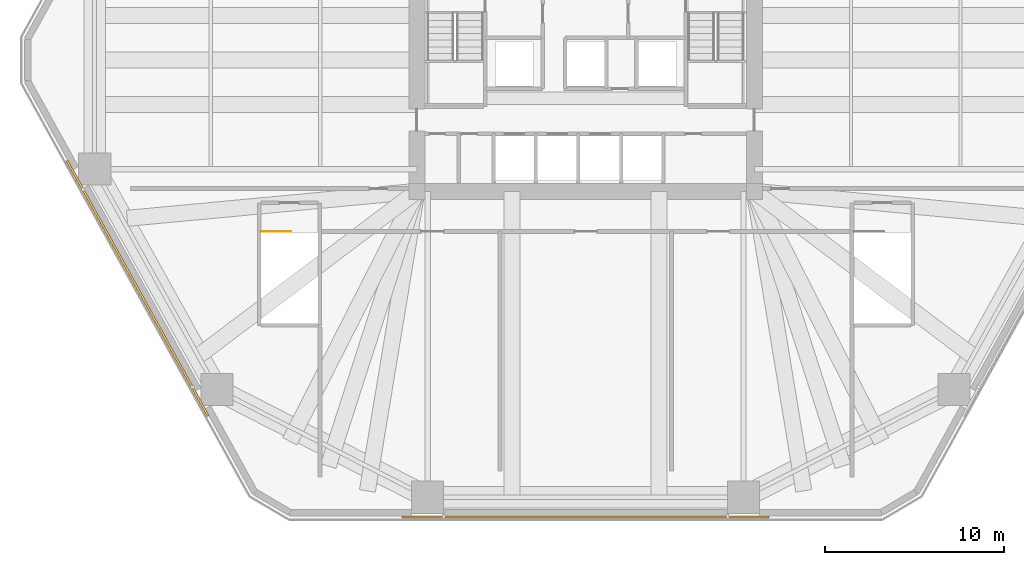
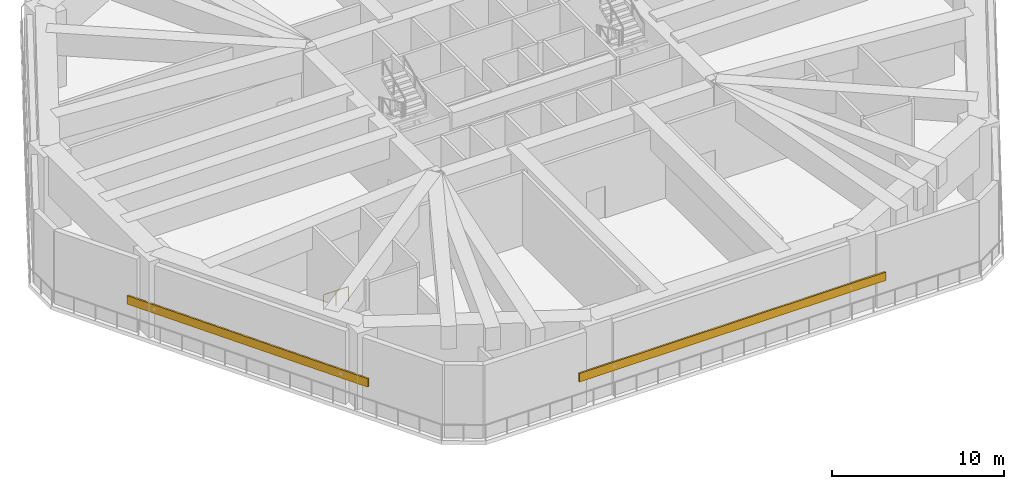
# One storey, part 8 of 12: 2 shading devices, 1 railing.
"""IFC4 building model written with IfcOpenShell, lengths in metres."""

from ifc_helpers import new_model, si_unit, direction, frame, origin, origin_2d, place, context, subcontext, project, spatial, rectangle, extrude, material, layer, layer_set, type_object, element, save


model = new_model("IFC4")

# Units and contexts
model_context = context("Model", 3, precision=1e-05, world=origin(), true_north=direction((0.0, 1.0)))
body_context = subcontext(model_context, "Body", "Model", "MODEL_VIEW")
ifc_project = project(units=[si_unit("LENGTHUNIT", "METRE"), si_unit("AREAUNIT", "SQUARE_METRE"), si_unit("VOLUMEUNIT", "CUBIC_METRE"), si_unit("PLANEANGLEUNIT", "RADIAN"), si_unit("MASSUNIT", "GRAM", prefix="KILO")], contexts=[model_context])

# Site, building, storey
site_placement = place(None, origin())
site = spatial("IfcSite", under=ifc_project, at=site_placement, CompositionType="ELEMENT")
building_placement = place(site_placement, origin())
building = spatial("IfcBuilding", under=site, at=building_placement, Name="Cinnabar Lancet Tower", CompositionType="ELEMENT")
storey_placement = place(building_placement, frame((0.0, 0.0, 19.5)))
storey = spatial("IfcBuildingStorey", under=building, at=storey_placement, Name="L04", CompositionType="ELEMENT", Elevation=19.5)

# Shading devices
ifc_material_1 = material(Name="Anodized acoustic plant weather louvre", Category="aluminium")
ifc_layer = layer(ifc_material_1, 0.094970703125)
ifc_layer_set = layer_set([ifc_layer], Name="Anodized acoustic plant weather louvre")
shading_device_type = type_object("IfcShadingDeviceType", Name="ENV-SHD-LVR-600", PredefinedType="JALOUSIE", material=ifc_layer_set)
shading_device_1_placement = place(storey_placement, frame((32.39990234375, 0.219970703125, 1.849853515625), z_axis=(0.0, 0.0, 1.0), x_axis=(1.0, 0.0, 0.0)))
element("IfcShadingDevice", 1, at=shading_device_1_placement, inside=storey, type_object=shading_device_type, Name="L04 Face 1 Acoustic Plant Weather Louvre", PredefinedType="JALOUSIE", context=body_context, shape_type="SweptSolid", body=[
    extrude(rectangle(XDim=20.551025390625, YDim=0.1201171875, at=origin_2d()), origin(), (0.0, 0.0, 1.0), 0.60009765625),
])
shading_device_2_placement = place(storey_placement, frame((7.31494140625, 13.01611328125, 1.849853515625), z_axis=(0.0, 0.0, 1.0), x_axis=(0.483694882518, -0.875236688345, 0.0)))
element("IfcShadingDevice", 2, at=shading_device_2_placement, inside=storey, type_object=shading_device_type, Name="L04 Face 6 Acoustic Plant Weather Louvre", PredefinedType="JALOUSIE", context=body_context, shape_type="SweptSolid", body=[
    extrude(rectangle(XDim=16.33203125, YDim=0.1201171875, at=origin_2d()), origin(), (0.0, 0.0, 1.0), 0.60009765625),
])

# Railing
ifc_material_2 = material(Name="Painted galvanized steel balustrade", Category="steel")
railing_type = type_object("IfcRailingType", Name="GUARD-STAIR", PredefinedType="GUARDRAIL", material=ifc_material_2)
railing_placement = place(storey_placement, frame((14.22509765625, 16.199951171875, 0.0)))
element("IfcRailing", 3, at=railing_placement, inside=storey, type_object=railing_type, Name="L04 ST-3 top well guard 1", PredefinedType="GUARDRAIL", context=body_context, shape_type="SweptSolid", body=[
    extrude(rectangle(XDim=0.048095703125, YDim=0.048095703125, at=origin_2d()), frame((0.0, 0.0, 1.076171875), z_axis=(1.0, 0.0, 0.0), x_axis=(0.0, 1.0, 0.0)), (0.0, 0.0, 1.0), 1.669921875),
    extrude(rectangle(XDim=0.0419921875, YDim=0.0419921875, at=origin_2d()), origin(), (0.0, 0.0, 1.0), 1.052001953125),
    extrude(rectangle(XDim=0.0419921875, YDim=0.0419921875, at=origin_2d()), frame((0.8349609375, 0.0, 0.0)), (0.0, 0.0, 1.0), 1.052001953125),
    extrude(rectangle(XDim=0.0419921875, YDim=0.0419921875, at=origin_2d()), frame((1.669921875, 0.0, 0.0)), (0.0, 0.0, 1.0), 1.052001953125),
])

save(model, "model.ifc")
